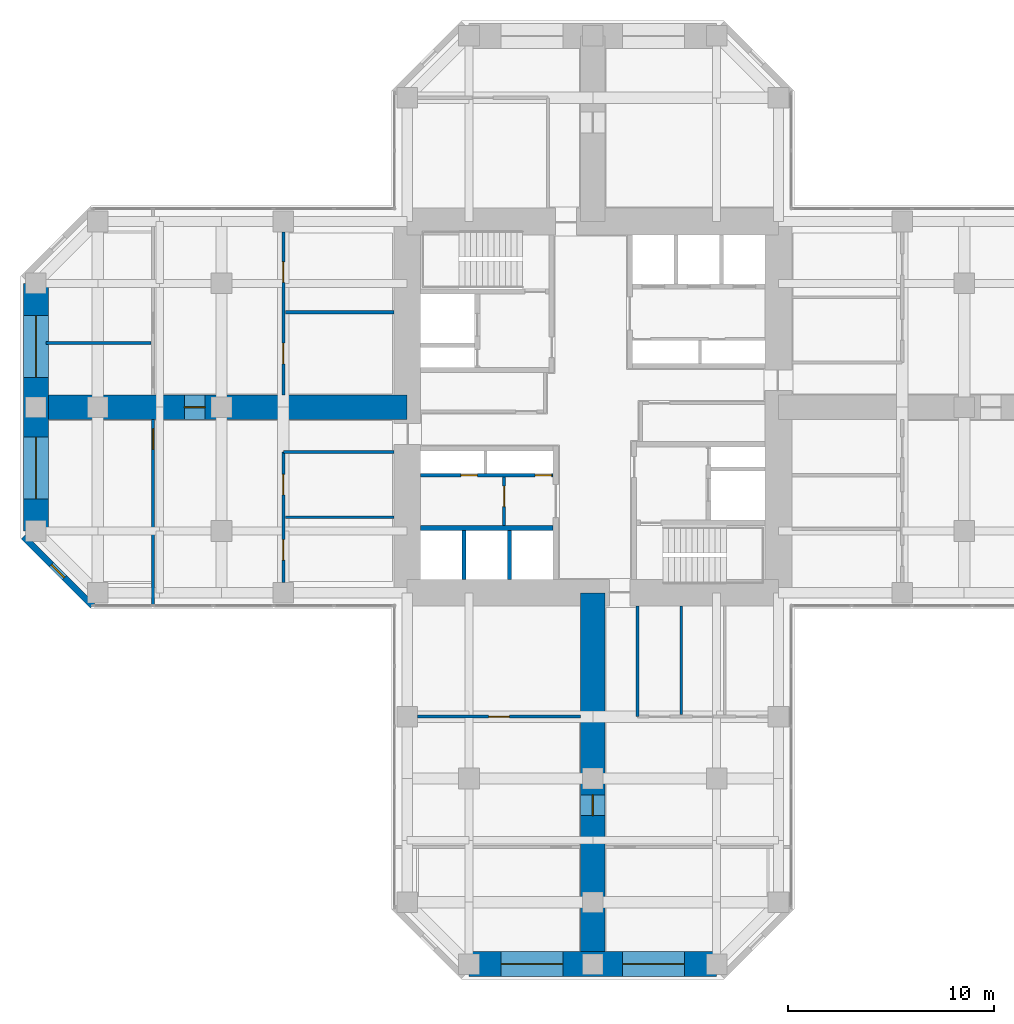
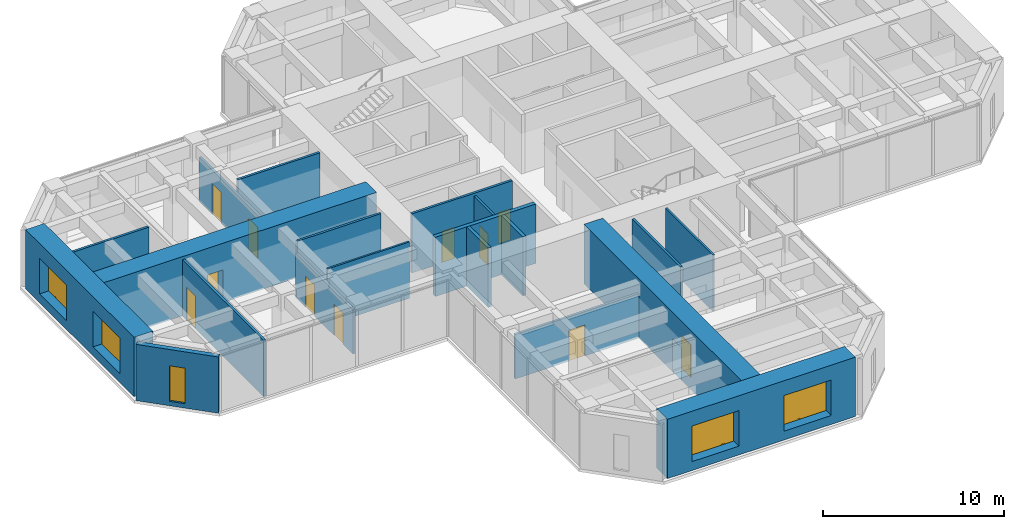
# One storey, part 8 of 13: 20 walls, 11 doors, 5 windows, 16 openings.
"""IFC4 building model written with IfcOpenShell, lengths in metres."""

from ifc_helpers import new_model, si_unit, direction, frame, frame_2d, origin, place, context, subcontext, project, spatial, rectangle, hollow_rectangle, extrude, material, layer, layer_set, constituent, constituent_set, type_object, element, fill, save


model = new_model("IFC4")

# Units and contexts
model_context = context("Model", 3, precision=1e-05, world=origin(), true_north=direction((0.0, 1.0)))
body_context = subcontext(model_context, "Body", "Model", "MODEL_VIEW")
ifc_project = project(units=[si_unit("LENGTHUNIT", "METRE"), si_unit("AREAUNIT", "SQUARE_METRE"), si_unit("VOLUMEUNIT", "CUBIC_METRE"), si_unit("PLANEANGLEUNIT", "RADIAN"), si_unit("MASSUNIT", "GRAM", prefix="KILO")], contexts=[model_context])

# Site, building, storey
site_placement = place(None, origin())
site = spatial("IfcSite", under=ifc_project, at=site_placement, CompositionType="ELEMENT")
building_placement = place(site_placement, origin())
building = spatial("IfcBuilding", under=site, at=building_placement, Name="Torre Cruceta", CompositionType="ELEMENT")
storey_placement = place(building_placement, frame((0.0, 0.0, 128.5)))
storey = spatial("IfcBuildingStorey", under=building, at=storey_placement, Name="L31", CompositionType="ELEMENT", Elevation=128.5)

# Wall
ifc_material_1 = material(Name="Concrete G60 (fck 60 MPa)", Category="concrete")
ifc_layer_1 = layer(ifc_material_1, 0.25)
ifc_layer_set_1 = layer_set([ifc_layer_1], Name="Concrete G60 (fck 60 MPa)")
wall_type_1 = type_object("IfcWallType", Name="CORE INNER WALL 250 G60", PredefinedType="SHEAR", material=ifc_layer_set_1)
wall_1_placement = place(storey_placement, frame((-1.925048828125, -5.85009765625, 0.0), z_axis=(0.0, 0.0, 1.0), x_axis=(-1.0, 0.0, 0.0)))
element("IfcWall", 1, at=wall_1_placement, inside=storey, type_object=wall_type_1, Name="CW4 L31 SW-LV", PredefinedType="SHEAR", context=body_context, shape_type="SweptSolid", body=[
    extrude(rectangle(XDim=6.425048828125, YDim=0.25, at=frame_2d((3.21240234375, 0.0))), origin(), (0.0, 0.0, 1.0), 4.0),
])

# Wall, opening, window
ifc_material_2 = material(Name="Concrete G30 (fck 30 MPa)", Category="concrete")
ifc_layer_2 = layer(ifc_material_2, 0.300048828125)
ifc_layer_set_2 = layer_set([ifc_layer_2], Name="Concrete G30 (fck 30 MPa)")
wall_type_2 = type_object("IfcWallType", Name="EXPOSED CONCRETE FACADE WALL 300", PredefinedType="SOLIDWALL", material=ifc_layer_set_2)
wall_2_placement = place(storey_placement, frame((-27.60009765625, -6.27685546875, 0.0), z_axis=(0.0, 0.0, 1.0), x_axis=(0.707106781187, -0.707106781187, 0.0)))
wall_2 = element("IfcWall", 2, at=wall_2_placement, inside=storey, type_object=wall_type_2, Name="EW1 facade wall L31 W chamfer 13", PredefinedType="SOLIDWALL", context=body_context, shape_type="SweptSolid", body=[
    extrude(rectangle(XDim=4.72802734375, YDim=0.300048828125, at=frame_2d((2.364013671875, 0.0))), origin(), (0.0, 0.0, 1.0), 3.800048828125),
])
opening_1_placement = place(wall_2_placement, frame((1.9140625, 0.0, 0.300048828125)))
opening_1 = element("IfcOpeningElement", 3, at=opening_1_placement, cuts=wall_2, Name="Opening WN5", PredefinedType="OPENING", context=body_context, shape_type="SweptSolid", body=[
    extrude(rectangle(XDim=0.89990234375, YDim=2.39990234375, at=frame_2d((0.449951171875, 1.199951171875))), frame((0.0, 0.159912109375, 0.0), z_axis=(0.0, -1.0, 0.0), x_axis=(1.0, 0.0, 0.0)), (0.0, 0.0, 1.0), 0.320068359375),
])
ifc_material_3 = material(Name="Aluminium window frame", Category="aluminium")
ifc_constituent_1 = constituent(ifc_material_3, Name="Frame")
ifc_material_4 = material(Name="Laminated insulating glass unit, low-iron clear", Category="glass")
ifc_constituent_2 = constituent(ifc_material_4, Name="Glazing")
ifc_constituent_set_1 = constituent_set(constituents=[ifc_constituent_1, ifc_constituent_2], Name="Aluminium window")
window_type_1 = type_object("IfcWindowType", Name="CHAMFER SLOT WINDOW 900X2400", PartitioningType="SINGLE_PANEL", PredefinedType="WINDOW", material=ifc_constituent_set_1)
window_1_placement = place(opening_1_placement, origin())
window_1 = element("IfcWindow", 4, at=window_1_placement, inside=storey, type_object=window_type_1, Name="WN5 L31 W 1", OverallHeight=2.39990234375, OverallWidth=0.89990234375, PartitioningType="SINGLE_PANEL", PredefinedType="WINDOW", context=body_context, shape_type="SweptSolid", body=[
    extrude(hollow_rectangle(XDim=0.89990234375, YDim=2.39990234375, WallThickness=0.06005859375, at=frame_2d((0.449951171875, 1.199951171875))), frame((0.0, 0.030029296875, 0.0), z_axis=(0.0, -1.0, 0.0), x_axis=(1.0, 0.0, 0.0)), (0.0, 0.0, 1.0), 0.06005859375),
    extrude(rectangle(XDim=0.77880859375, YDim=2.27880859375, at=frame_2d((0.449951171875, 1.199951171875))), frame((0.0, 0.030029296875, 0.0), z_axis=(0.0, -1.0, 0.0), x_axis=(1.0, 0.0, 0.0)), (0.0, 0.0, 1.0), 0.06005859375),
])
fill(opening_1, window_1)

# Walls
ifc_material_5 = material(Name="Concrete G35 (fck 35 MPa)", Category="concrete")
ifc_layer_3 = layer(ifc_material_5, 0.199951171875)
ifc_layer_set_3 = layer_set([ifc_layer_3], Name="Concrete G35 (fck 35 MPa)")
wall_type_3 = type_object("IfcWallType", Name="LIFT SHAFT WALL 200", PredefinedType="PARTITIONING", material=ifc_layer_set_3)
for number, where, z_axis, x_axis, name in (
    (5, (-4.033447265625, -5.97509765625, 0.0), (0.0, 0.0, 1.0), (0.0, -1.0, 0.0), "SW1 L31 SW-LS1"),
    (6, (-6.24169921875, -5.97509765625, 0.0), (0.0, 0.0, 1.0), (0.0, -1.0, 0.0), "SW1 L31 SW-LS2"),
):
    element("IfcWall", number, at=place(storey_placement, frame(where, z_axis=z_axis, x_axis=x_axis)), inside=storey, type_object=wall_type_3, Name=name, PredefinedType="PARTITIONING", context=body_context, shape_type="SweptSolid", body=[
        extrude(rectangle(XDim=2.375, YDim=0.199951171875, at=frame_2d((1.1875, 0.0))), origin(), (0.0, 0.0, 1.0), 4.0),
    ])

# Wall, openings, windows
ifc_material_6 = material(Name="Concrete G60 (fck 60 MPa)", Category="concrete")
ifc_layer_4 = layer(ifc_material_6, 1.199951171875)
ifc_layer_set_4 = layer_set([ifc_layer_4], Name="Concrete G60 (fck 60 MPa)")
wall_type_4 = type_object("IfcWallType", Name="NOSE WALL 1200 G60", PredefinedType="SHEAR", material=ifc_layer_set_4)
wall_3_placement = place(storey_placement, frame((-6.0, -27.0, 0.0), z_axis=(0.0, 0.0, 1.0), x_axis=(1.0, 0.0, 0.0)))
wall_3 = element("IfcWall", 7, at=wall_3_placement, inside=storey, type_object=wall_type_4, Name="NW1 nose wall L31 S", PredefinedType="SHEAR", context=body_context, shape_type="SweptSolid", body=[
    extrude(rectangle(XDim=12.0, YDim=1.199951171875, at=frame_2d((6.0, 0.0))), origin(), (0.0, 0.0, 1.0), 4.0),
])
opening_2_placement = place(wall_3_placement, frame((1.550048828125, 0.0, 0.60009765625)))
opening_2 = element("IfcOpeningElement", 8, at=opening_2_placement, cuts=wall_3, Name="Opening WN6", PredefinedType="OPENING", context=body_context, shape_type="SweptSolid", body=[
    extrude(rectangle(XDim=3.0, YDim=2.39990234375, at=frame_2d((1.5, 1.199951171875))), frame((0.0, 0.60986328125, 0.0), z_axis=(0.0, -1.0, 0.0), x_axis=(1.0, 0.0, 0.0)), (0.0, 0.0, 1.0), 1.219970703125),
])
opening_3_placement = place(wall_3_placement, frame((7.449951171875, 0.0, 0.60009765625)))
opening_3 = element("IfcOpeningElement", 9, at=opening_3_placement, cuts=wall_3, Name="Opening WN6", PredefinedType="OPENING", context=body_context, shape_type="SweptSolid", body=[
    extrude(rectangle(XDim=3.0, YDim=2.39990234375, at=frame_2d((1.5, 1.199951171875))), frame((0.0, 0.60986328125, 0.0), z_axis=(0.0, -1.0, 0.0), x_axis=(1.0, 0.0, 0.0)), (0.0, 0.0, 1.0), 1.219970703125),
])
ifc_material_7 = material(Name="Aluminium window frame", Category="aluminium")
ifc_constituent_3 = constituent(ifc_material_7, Name="Frame")
ifc_material_8 = material(Name="Laminated insulating glass unit, low-iron clear", Category="glass")
ifc_constituent_4 = constituent(ifc_material_8, Name="Glazing")
ifc_constituent_set_2 = constituent_set(constituents=[ifc_constituent_3, ifc_constituent_4], Name="Aluminium window")
window_type_2 = type_object("IfcWindowType", Name="NOSE WALL WINDOW 3000X2400", PartitioningType="SINGLE_PANEL", PredefinedType="WINDOW", material=ifc_constituent_set_2)
window_2_placement = place(opening_2_placement, origin())
window_2 = element("IfcWindow", 10, at=window_2_placement, inside=storey, type_object=window_type_2, Name="WN6 L31 S 1", OverallHeight=2.39990234375, OverallWidth=3.0, PartitioningType="SINGLE_PANEL", PredefinedType="WINDOW", context=body_context, shape_type="SweptSolid", body=[
    extrude(hollow_rectangle(XDim=3.0, YDim=2.39990234375, WallThickness=0.06005859375, at=frame_2d((1.5, 1.199951171875))), frame((0.0, 0.030029296875, 0.0), z_axis=(0.0, -1.0, 0.0), x_axis=(1.0, 0.0, 0.0)), (0.0, 0.0, 1.0), 0.06005859375),
    extrude(rectangle(XDim=2.87890625, YDim=2.27880859375, at=frame_2d((1.5, 1.199951171875))), frame((0.0, 0.030029296875, 0.0), z_axis=(0.0, -1.0, 0.0), x_axis=(1.0, 0.0, 0.0)), (0.0, 0.0, 1.0), 0.06005859375),
])
fill(opening_2, window_2)
window_3_placement = place(opening_3_placement, origin())
window_3 = element("IfcWindow", 11, at=window_3_placement, inside=storey, type_object=window_type_2, Name="WN6 L31 S 2", OverallHeight=2.39990234375, OverallWidth=3.0, PartitioningType="SINGLE_PANEL", PredefinedType="WINDOW", context=body_context, shape_type="SweptSolid", body=[
    extrude(hollow_rectangle(XDim=3.0, YDim=2.39990234375, WallThickness=0.06005859375, at=frame_2d((1.5, 1.199951171875))), frame((0.0, 0.030029296875, 0.0), z_axis=(0.0, -1.0, 0.0), x_axis=(1.0, 0.0, 0.0)), (0.0, 0.0, 1.0), 0.06005859375),
    extrude(rectangle(XDim=2.87890625, YDim=2.27880859375, at=frame_2d((1.5, 1.199951171875))), frame((0.0, 0.030029296875, 0.0), z_axis=(0.0, -1.0, 0.0), x_axis=(1.0, 0.0, 0.0)), (0.0, 0.0, 1.0), 0.06005859375),
])
fill(opening_3, window_3)

wall_4_placement = place(storey_placement, frame((-27.0, 6.0, 0.0), z_axis=(0.0, 0.0, 1.0), x_axis=(0.0, -1.0, 0.0)))
wall_4 = element("IfcWall", 12, at=wall_4_placement, inside=storey, type_object=wall_type_4, Name="NW1 nose wall L31 W", PredefinedType="SHEAR", context=body_context, shape_type="SweptSolid", body=[
    extrude(rectangle(XDim=12.0, YDim=1.199951171875, at=frame_2d((6.0, 0.0))), origin(), (0.0, 0.0, 1.0), 4.0),
])
opening_4_placement = place(wall_4_placement, frame((1.550048828125, 0.0, 0.60009765625)))
opening_4 = element("IfcOpeningElement", 13, at=opening_4_placement, cuts=wall_4, Name="Opening WN6", PredefinedType="OPENING", context=body_context, shape_type="SweptSolid", body=[
    extrude(rectangle(XDim=3.0, YDim=2.39990234375, at=frame_2d((1.5, 1.199951171875))), frame((0.0, 0.60986328125, 0.0), z_axis=(0.0, -1.0, 0.0), x_axis=(1.0, 0.0, 0.0)), (0.0, 0.0, 1.0), 1.219970703125),
])
opening_5_placement = place(wall_4_placement, frame((7.449951171875, 0.0, 0.60009765625)))
opening_5 = element("IfcOpeningElement", 14, at=opening_5_placement, cuts=wall_4, Name="Opening WN6", PredefinedType="OPENING", context=body_context, shape_type="SweptSolid", body=[
    extrude(rectangle(XDim=3.0, YDim=2.39990234375, at=frame_2d((1.5, 1.199951171875))), frame((0.0, 0.60986328125, 0.0), z_axis=(0.0, -1.0, 0.0), x_axis=(1.0, 0.0, 0.0)), (0.0, 0.0, 1.0), 1.219970703125),
])
window_4_placement = place(opening_4_placement, origin())
window_4 = element("IfcWindow", 15, at=window_4_placement, inside=storey, type_object=window_type_2, Name="WN6 L31 W 1", OverallHeight=2.39990234375, OverallWidth=3.0, PartitioningType="SINGLE_PANEL", PredefinedType="WINDOW", context=body_context, shape_type="SweptSolid", body=[
    extrude(hollow_rectangle(XDim=3.0, YDim=2.39990234375, WallThickness=0.06005859375, at=frame_2d((1.5, 1.199951171875))), frame((0.0, 0.030029296875, 0.0), z_axis=(0.0, -1.0, 0.0), x_axis=(1.0, 0.0, 0.0)), (0.0, 0.0, 1.0), 0.06005859375),
    extrude(rectangle(XDim=2.87890625, YDim=2.27880859375, at=frame_2d((1.5, 1.199951171875))), frame((0.0, 0.030029296875, 0.0), z_axis=(0.0, -1.0, 0.0), x_axis=(1.0, 0.0, 0.0)), (0.0, 0.0, 1.0), 0.06005859375),
])
fill(opening_4, window_4)
window_5_placement = place(opening_5_placement, origin())
window_5 = element("IfcWindow", 16, at=window_5_placement, inside=storey, type_object=window_type_2, Name="WN6 L31 W 2", OverallHeight=2.39990234375, OverallWidth=3.0, PartitioningType="SINGLE_PANEL", PredefinedType="WINDOW", context=body_context, shape_type="SweptSolid", body=[
    extrude(hollow_rectangle(XDim=3.0, YDim=2.39990234375, WallThickness=0.06005859375, at=frame_2d((1.5, 1.199951171875))), frame((0.0, 0.030029296875, 0.0), z_axis=(0.0, -1.0, 0.0), x_axis=(1.0, 0.0, 0.0)), (0.0, 0.0, 1.0), 0.06005859375),
    extrude(rectangle(XDim=2.87890625, YDim=2.27880859375, at=frame_2d((1.5, 1.199951171875))), frame((0.0, 0.030029296875, 0.0), z_axis=(0.0, -1.0, 0.0), x_axis=(1.0, 0.0, 0.0)), (0.0, 0.0, 1.0), 0.06005859375),
])
fill(opening_5, window_5)

# Wall, opening, door
ifc_material_9 = material(Name="Plasterboard on steel studs", Category="steel")
ifc_layer_5 = layer(ifc_material_9, 0.14990234375)
ifc_layer_set_5 = layer_set([ifc_layer_5], Name="Plasterboard on steel studs")
wall_type_5 = type_object("IfcWallType", Name="PARTITION 150", PredefinedType="PARTITIONING", material=ifc_layer_set_5)
wall_5_placement = place(storey_placement, frame((-4.300048828125, -3.375, 0.0), z_axis=(0.0, 0.0, 1.0), x_axis=(0.0, -1.0, 0.0)))
wall_5 = element("IfcWall", 17, at=wall_5_placement, inside=storey, type_object=wall_type_5, Name="PT1 L31-CORE-SW-X", PredefinedType="PARTITIONING", context=body_context, shape_type="SweptSolid", body=[
    extrude(rectangle(XDim=2.35009765625, YDim=0.14990234375, at=frame_2d((1.175048828125, 0.0))), origin(), (0.0, 0.0, 1.0), 3.800048828125),
])
opening_6_placement = place(wall_5_placement, frame((0.449951171875, 0.0, 0.0)))
opening_6 = element("IfcOpeningElement", 18, at=opening_6_placement, cuts=wall_5, Name="Opening D3", PredefinedType="OPENING", context=body_context, shape_type="SweptSolid", body=[
    extrude(rectangle(XDim=1.0, YDim=2.10009765625, at=frame_2d((0.5, 1.050048828125))), frame((0.0, 0.0849609375, 0.0), z_axis=(0.0, -1.0, 0.0), x_axis=(1.0, 0.0, 0.0)), (0.0, 0.0, 1.0), 0.169921875),
])
ifc_material_10 = material(Name="Steel DX51D", Category="steel")
ifc_constituent_5 = constituent(ifc_material_10, Name="Leaf and frame")
ifc_material_11 = material(Name="Polyester powder coating", Category="paint")
ifc_constituent_6 = constituent(ifc_material_11, Name="Finish")
ifc_constituent_set_3 = constituent_set(constituents=[ifc_constituent_5, ifc_constituent_6], Name="Steel fire door")
door_type_1 = type_object("IfcDoorType", Name="FIRE DOOR 1000X2100", OperationType="SINGLE_SWING_LEFT", PredefinedType="DOOR", material=ifc_constituent_set_3)
door_1_placement = place(opening_6_placement, origin())
door_1 = element("IfcDoor", 19, at=door_1_placement, inside=storey, type_object=door_type_1, Name="D3 L31-CORE-SW-X-D1", OperationType="SINGLE_SWING_LEFT", OverallHeight=2.10009765625, OverallWidth=1.0, PredefinedType="DOOR", context=body_context, shape_type="SweptSolid", body=[
    extrude(rectangle(XDim=1.0, YDim=2.10009765625, at=frame_2d((0.5, 1.050048828125))), frame((0.0, 0.02490234375, 0.0), z_axis=(0.0, -1.0, 0.0), x_axis=(1.0, 0.0, 0.0)), (0.0, 0.0, 1.0), 0.050048828125),
])
fill(opening_6, door_1)

# Wall
wall_6_placement = place(storey_placement, frame((2.175048828125, -9.64990234375, 0.0), z_axis=(0.0, 0.0, 1.0), x_axis=(0.0, -1.0, 0.0)))
element("IfcWall", 20, at=wall_6_placement, inside=storey, type_object=wall_type_5, Name="PT1 L31-S-BSL", PredefinedType="PARTITIONING", context=body_context, shape_type="SweptSolid", body=[
    extrude(rectangle(XDim=5.35009765625, YDim=0.14990234375, at=frame_2d((2.675048828125, 0.0))), origin(), (0.0, 0.0, 1.0), 3.800048828125),
])

# Wall, opening, door
wall_7_placement = place(storey_placement, frame((-8.5, -15.0, 0.0), z_axis=(0.0, 0.0, 1.0), x_axis=(1.0, 0.0, 0.0)))
wall_7 = element("IfcWall", 21, at=wall_7_placement, inside=storey, type_object=wall_type_5, Name="PT1 L31-S-BFR", PredefinedType="PARTITIONING", context=body_context, shape_type="SweptSolid", body=[
    extrude(rectangle(XDim=7.89990234375, YDim=0.14990234375, at=frame_2d((3.949951171875, 0.0))), origin(), (0.0, 0.0, 1.0), 3.0),
])
opening_7_placement = place(wall_7_placement, frame((3.449951171875, 0.0, 0.0)))
opening_7 = element("IfcOpeningElement", 22, at=opening_7_placement, cuts=wall_7, Name="Opening D3", PredefinedType="OPENING", context=body_context, shape_type="SweptSolid", body=[
    extrude(rectangle(XDim=1.0, YDim=2.10009765625, at=frame_2d((0.5, 1.050048828125))), frame((0.0, 0.0849609375, 0.0), z_axis=(0.0, -1.0, 0.0), x_axis=(1.0, 0.0, 0.0)), (0.0, 0.0, 1.0), 0.169921875),
])
door_2_placement = place(opening_7_placement, origin())
door_2 = element("IfcDoor", 23, at=door_2_placement, inside=storey, type_object=door_type_1, Name="D3 L31-S-BFR-D1", OperationType="SINGLE_SWING_RIGHT", OverallHeight=2.10009765625, OverallWidth=1.0, PredefinedType="DOOR", context=body_context, shape_type="SweptSolid", body=[
    extrude(rectangle(XDim=1.0, YDim=2.10009765625, at=frame_2d((0.5, 1.050048828125))), frame((0.0, 0.02490234375, 0.0), z_axis=(0.0, -1.0, 0.0), x_axis=(1.0, 0.0, 0.0)), (0.0, 0.0, 1.0), 0.050048828125),
])
fill(opening_7, door_2)

# Wall, openings, doors
wall_8_placement = place(storey_placement, frame((-15.0, -2.175048828125, 0.0), z_axis=(0.0, 0.0, 1.0), x_axis=(0.0, -1.0, 0.0)))
wall_8 = element("IfcWall", 24, at=wall_8_placement, inside=storey, type_object=wall_type_5, Name="PT1 L31-W-BFL", PredefinedType="PARTITIONING", context=body_context, shape_type="SweptSolid", body=[
    extrude(rectangle(XDim=6.324951171875, YDim=0.14990234375, at=frame_2d((3.16259765625, 0.0))), origin(), (0.0, 0.0, 1.0), 3.0),
])
opening_8_placement = place(wall_8_placement, frame((1.081298828125, 0.0, 0.0)))
opening_8 = element("IfcOpeningElement", 25, at=opening_8_placement, cuts=wall_8, Name="Opening D3", PredefinedType="OPENING", context=body_context, shape_type="SweptSolid", body=[
    extrude(rectangle(XDim=1.0, YDim=2.10009765625, at=frame_2d((0.5, 1.050048828125))), frame((0.0, 0.0849609375, 0.0), z_axis=(0.0, -1.0, 0.0), x_axis=(1.0, 0.0, 0.0)), (0.0, 0.0, 1.0), 0.169921875),
])
opening_9_placement = place(wall_8_placement, frame((4.243896484375, 0.0, 0.0)))
opening_9 = element("IfcOpeningElement", 26, at=opening_9_placement, cuts=wall_8, Name="Opening D3", PredefinedType="OPENING", context=body_context, shape_type="SweptSolid", body=[
    extrude(rectangle(XDim=1.0, YDim=2.10009765625, at=frame_2d((0.5, 1.050048828125))), frame((0.0, 0.0849609375, 0.0), z_axis=(0.0, -1.0, 0.0), x_axis=(1.0, 0.0, 0.0)), (0.0, 0.0, 1.0), 0.169921875),
])
door_3_placement = place(opening_8_placement, origin())
door_3 = element("IfcDoor", 27, at=door_3_placement, inside=storey, type_object=door_type_1, Name="D3 L31-W-BFL-D1", OperationType="SINGLE_SWING_LEFT", OverallHeight=2.10009765625, OverallWidth=1.0, PredefinedType="DOOR", context=body_context, shape_type="SweptSolid", body=[
    extrude(rectangle(XDim=1.0, YDim=2.10009765625, at=frame_2d((0.5, 1.050048828125))), frame((0.0, 0.02490234375, 0.0), z_axis=(0.0, -1.0, 0.0), x_axis=(1.0, 0.0, 0.0)), (0.0, 0.0, 1.0), 0.050048828125),
])
fill(opening_8, door_3)
door_4_placement = place(opening_9_placement, origin())
door_4 = element("IfcDoor", 28, at=door_4_placement, inside=storey, type_object=door_type_1, Name="D3 L31-W-BFL-D2", OperationType="SINGLE_SWING_LEFT", OverallHeight=2.10009765625, OverallWidth=1.0, PredefinedType="DOOR", context=body_context, shape_type="SweptSolid", body=[
    extrude(rectangle(XDim=1.0, YDim=2.10009765625, at=frame_2d((0.5, 1.050048828125))), frame((0.0, 0.02490234375, 0.0), z_axis=(0.0, -1.0, 0.0), x_axis=(1.0, 0.0, 0.0)), (0.0, 0.0, 1.0), 0.050048828125),
])
fill(opening_9, door_4)

# Wall
wall_9_placement = place(storey_placement, frame((-9.64990234375, -2.175048828125, 0.0), z_axis=(0.0, 0.0, 1.0), x_axis=(-1.0, 0.0, 0.0)))
element("IfcWall", 29, at=wall_9_placement, inside=storey, type_object=wall_type_5, Name="PT1 L31-W-BSL", PredefinedType="PARTITIONING", context=body_context, shape_type="SweptSolid", body=[
    extrude(rectangle(XDim=5.35009765625, YDim=0.14990234375, at=frame_2d((2.675048828125, 0.0))), origin(), (0.0, 0.0, 1.0), 3.800048828125),
])

# Wall, openings, doors
wall_10_placement = place(storey_placement, frame((-15.0, 8.5, 0.0), z_axis=(0.0, 0.0, 1.0), x_axis=(0.0, -1.0, 0.0)))
wall_10 = element("IfcWall", 30, at=wall_10_placement, inside=storey, type_object=wall_type_5, Name="PT1 L31-W-BFR", PredefinedType="PARTITIONING", context=body_context, shape_type="SweptSolid", body=[
    extrude(rectangle(XDim=7.89990234375, YDim=0.14990234375, at=frame_2d((3.949951171875, 0.0))), origin(), (0.0, 0.0, 1.0), 3.0),
])
opening_10_placement = place(wall_10_placement, frame((1.449951171875, 0.0, 0.0)))
opening_10 = element("IfcOpeningElement", 31, at=opening_10_placement, cuts=wall_10, Name="Opening D3", PredefinedType="OPENING", context=body_context, shape_type="SweptSolid", body=[
    extrude(rectangle(XDim=1.0, YDim=2.10009765625, at=frame_2d((0.5, 1.050048828125))), frame((0.0, 0.0849609375, 0.0), z_axis=(0.0, -1.0, 0.0), x_axis=(1.0, 0.0, 0.0)), (0.0, 0.0, 1.0), 0.169921875),
])
opening_11_placement = place(wall_10_placement, frame((5.39990234375, 0.0, 0.0)))
opening_11 = element("IfcOpeningElement", 32, at=opening_11_placement, cuts=wall_10, Name="Opening D3", PredefinedType="OPENING", context=body_context, shape_type="SweptSolid", body=[
    extrude(rectangle(XDim=1.0, YDim=2.10009765625, at=frame_2d((0.5, 1.050048828125))), frame((0.0, 0.0849609375, 0.0), z_axis=(0.0, -1.0, 0.0), x_axis=(1.0, 0.0, 0.0)), (0.0, 0.0, 1.0), 0.169921875),
])
door_5_placement = place(opening_10_placement, origin())
door_5 = element("IfcDoor", 33, at=door_5_placement, inside=storey, type_object=door_type_1, Name="D3 L31-W-BFR-D1", OperationType="SINGLE_SWING_RIGHT", OverallHeight=2.10009765625, OverallWidth=1.0, PredefinedType="DOOR", context=body_context, shape_type="SweptSolid", body=[
    extrude(rectangle(XDim=1.0, YDim=2.10009765625, at=frame_2d((0.5, 1.050048828125))), frame((0.0, 0.02490234375, 0.0), z_axis=(0.0, -1.0, 0.0), x_axis=(1.0, 0.0, 0.0)), (0.0, 0.0, 1.0), 0.050048828125),
])
fill(opening_10, door_5)
door_6_placement = place(opening_11_placement, origin())
door_6 = element("IfcDoor", 34, at=door_6_placement, inside=storey, type_object=door_type_1, Name="D3 L31-W-BFR-D2", OperationType="SINGLE_SWING_LEFT", OverallHeight=2.10009765625, OverallWidth=1.0, PredefinedType="DOOR", context=body_context, shape_type="SweptSolid", body=[
    extrude(rectangle(XDim=1.0, YDim=2.10009765625, at=frame_2d((0.5, 1.050048828125))), frame((0.0, 0.02490234375, 0.0), z_axis=(0.0, -1.0, 0.0), x_axis=(1.0, 0.0, 0.0)), (0.0, 0.0, 1.0), 0.050048828125),
])
fill(opening_11, door_6)

# Wall
wall_11_placement = place(storey_placement, frame((-9.64990234375, 4.60009765625, 0.0), z_axis=(0.0, 0.0, 1.0), x_axis=(-1.0, 0.0, 0.0)))
element("IfcWall", 35, at=wall_11_placement, inside=storey, type_object=wall_type_5, Name="PT1 L31-W-BDR1", PredefinedType="PARTITIONING", context=body_context, shape_type="SweptSolid", body=[
    extrude(rectangle(XDim=5.25, YDim=0.14990234375, at=frame_2d((2.625, 0.0))), origin(), (0.0, 0.0, 1.0), 3.800048828125),
])

# Wall, opening, door
wall_12_placement = place(storey_placement, frame((-21.320068359375, -0.60009765625, 0.0), z_axis=(0.0, 0.0, 1.0), x_axis=(0.0, -1.0, 0.0)))
wall_12 = element("IfcWall", 36, at=wall_12_placement, inside=storey, type_object=wall_type_5, Name="PT1 L31-W-TWL", PredefinedType="PARTITIONING", context=body_context, shape_type="SweptSolid", body=[
    extrude(rectangle(XDim=8.97998046875, YDim=0.14990234375, at=frame_2d((4.489990234375, 0.0))), origin(), (0.0, 0.0, 1.0), 3.800048828125),
])
opening_12_placement = place(wall_12_placement, frame((0.449951171875, 0.0, 0.0)))
opening_12 = element("IfcOpeningElement", 37, at=opening_12_placement, cuts=wall_12, Name="Opening D14", PredefinedType="OPENING", context=body_context, shape_type="SweptSolid", body=[
    extrude(rectangle(XDim=1.0, YDim=2.199951171875, at=frame_2d((0.5, 1.10009765625))), frame((0.0, 0.0849609375, 0.0), z_axis=(0.0, -1.0, 0.0), x_axis=(1.0, 0.0, 0.0)), (0.0, 0.0, 1.0), 0.169921875),
])
ifc_material_12 = material(Name="Steel DX51D", Category="steel")
ifc_constituent_7 = constituent(ifc_material_12, Name="Leaf and frame")
ifc_material_13 = material(Name="Polyester powder coating", Category="paint")
ifc_constituent_8 = constituent(ifc_material_13, Name="Finish")
ifc_material_14 = material(Name="Fire-resisting glass", Category="glass")
ifc_constituent_9 = constituent(ifc_material_14, Name="Vision panel")
ifc_constituent_set_4 = constituent_set(constituents=[ifc_constituent_7, ifc_constituent_8, ifc_constituent_9], Name="Steel fire door with vision panel")
door_type_2 = type_object("IfcDoorType", Name="FIRE DOOR VISION PANEL 1000X2200", OperationType="SINGLE_SWING_RIGHT", PredefinedType="DOOR", material=ifc_constituent_set_4)
door_7_placement = place(opening_12_placement, frame((1.0, 0.0, 0.0), z_axis=(0.0, 0.0, 1.0), x_axis=(-1.0, 0.0, 0.0)))
door_7 = element("IfcDoor", 38, at=door_7_placement, inside=storey, type_object=door_type_2, Name="D14 L31-W-TWL-D1", OperationType="SINGLE_SWING_RIGHT", OverallHeight=2.199951171875, OverallWidth=1.0, PredefinedType="DOOR", context=body_context, shape_type="SweptSolid", body=[
    extrude(rectangle(XDim=1.0, YDim=2.199951171875, at=frame_2d((0.5, 1.10009765625))), frame((0.0, 0.025146484375, 0.0), z_axis=(0.0, -1.0, 0.0), x_axis=(1.0, 0.0, 0.0)), (0.0, 0.0, 1.0), 0.050048828125),
])
fill(opening_12, door_7)

# Wall
wall_13_placement = place(storey_placement, frame((-21.419921875, 3.117919921875, 0.0), z_axis=(0.0, 0.0, 1.0), x_axis=(-1.0, 0.0, 0.0)))
element("IfcWall", 39, at=wall_13_placement, inside=storey, type_object=wall_type_5, Name="PT1 L31-W-TDR", PredefinedType="PARTITIONING", context=body_context, shape_type="SweptSolid", body=[
    extrude(rectangle(XDim=5.080078125, YDim=0.14990234375, at=frame_2d((2.5400390625, 0.0))), origin(), (0.0, 0.0, 1.0), 3.800048828125),
])

# Wall, openings, doors
ifc_material_15 = material(Name="Concrete block masonry", Category="masonry")
ifc_layer_6 = layer(ifc_material_15, 0.14990234375)
ifc_layer_set_6 = layer_set([ifc_layer_6], Name="Concrete block masonry")
wall_type_6 = type_object("IfcWallType", Name="RISER WALL 150", PredefinedType="PARTITIONING", material=ifc_layer_set_6)
wall_14_placement = place(storey_placement, frame((-1.925048828125, -3.300048828125, 0.0), z_axis=(0.0, 0.0, 1.0), x_axis=(-1.0, 0.0, 0.0)))
wall_14 = element("IfcWall", 40, at=wall_14_placement, inside=storey, type_object=wall_type_6, Name="SW7 L31 SW-RV", PredefinedType="PARTITIONING", context=body_context, shape_type="SweptSolid", body=[
    extrude(rectangle(XDim=6.425048828125, YDim=0.14990234375, at=frame_2d((3.21240234375, 0.0))), origin(), (0.0, 0.0, 1.0), 4.0),
])
opening_13_placement = place(wall_14_placement, frame((0.074951171875, 0.0, 0.0)))
opening_13 = element("IfcOpeningElement", 41, at=opening_13_placement, cuts=wall_14, Name="Opening D5", PredefinedType="OPENING", context=body_context, shape_type="SweptSolid", body=[
    extrude(rectangle(XDim=0.800048828125, YDim=2.10009765625, at=frame_2d((0.39990234375, 1.050048828125))), frame((0.0, 0.0849609375, 0.0), z_axis=(0.0, -1.0, 0.0), x_axis=(1.0, 0.0, 0.0)), (0.0, 0.0, 1.0), 0.169921875),
])
opening_14_placement = place(wall_14_placement, frame((3.675048828125, 0.0, 0.0)))
opening_14 = element("IfcOpeningElement", 42, at=opening_14_placement, cuts=wall_14, Name="Opening D5", PredefinedType="OPENING", context=body_context, shape_type="SweptSolid", body=[
    extrude(rectangle(XDim=0.800048828125, YDim=2.10009765625, at=frame_2d((0.39990234375, 1.050048828125))), frame((0.0, 0.0849609375, 0.0), z_axis=(0.0, -1.0, 0.0), x_axis=(1.0, 0.0, 0.0)), (0.0, 0.0, 1.0), 0.169921875),
])
ifc_material_16 = material(Name="Steel DX51D", Category="steel")
ifc_constituent_10 = constituent(ifc_material_16, Name="Leaf and frame")
ifc_material_17 = material(Name="Polyester powder coating", Category="paint")
ifc_constituent_11 = constituent(ifc_material_17, Name="Finish")
ifc_constituent_set_5 = constituent_set(constituents=[ifc_constituent_10, ifc_constituent_11], Name="Steel fire door")
door_type_3 = type_object("IfcDoorType", Name="RISER ACCESS DOOR 800X2100", OperationType="SINGLE_SWING_LEFT", PredefinedType="DOOR", material=ifc_constituent_set_5)
door_8_placement = place(opening_13_placement, frame((0.800048828125, 0.0, 0.0), z_axis=(0.0, 0.0, 1.0), x_axis=(-1.0, 0.0, 0.0)))
door_8 = element("IfcDoor", 43, at=door_8_placement, inside=storey, type_object=door_type_3, Name="D5 L31 SW-RISER1", OperationType="SINGLE_SWING_RIGHT", OverallHeight=2.10009765625, OverallWidth=0.800048828125, PredefinedType="DOOR", context=body_context, shape_type="SweptSolid", body=[
    extrude(rectangle(XDim=0.800048828125, YDim=2.10009765625, at=frame_2d((0.400146484375, 1.050048828125))), frame((0.0, 0.025146484375, 0.0), z_axis=(0.0, -1.0, 0.0), x_axis=(1.0, 0.0, 0.0)), (0.0, 0.0, 1.0), 0.050048828125),
])
fill(opening_13, door_8)
door_9_placement = place(opening_14_placement, frame((0.800048828125, 0.0, 0.0), z_axis=(0.0, 0.0, 1.0), x_axis=(-1.0, 0.0, 0.0)))
door_9 = element("IfcDoor", 44, at=door_9_placement, inside=storey, type_object=door_type_3, Name="D5 L31 SW-RISER2", OperationType="SINGLE_SWING_RIGHT", OverallHeight=2.10009765625, OverallWidth=0.800048828125, PredefinedType="DOOR", context=body_context, shape_type="SweptSolid", body=[
    extrude(rectangle(XDim=0.800048828125, YDim=2.10009765625, at=frame_2d((0.400146484375, 1.050048828125))), frame((0.0, 0.025146484375, 0.0), z_axis=(0.0, -1.0, 0.0), x_axis=(1.0, 0.0, 0.0)), (0.0, 0.0, 1.0), 0.050048828125),
])
fill(opening_14, door_9)

# Wall, opening, door
ifc_material_18 = material(Name="Concrete G60 (fck 60 MPa)", Category="concrete")
ifc_layer_7 = layer(ifc_material_18, 1.199951171875)
ifc_layer_set_7 = layer_set([ifc_layer_7], Name="Concrete G60 (fck 60 MPa)")
wall_type_7 = type_object("IfcWallType", Name="SPINE WALL 1200 G60", PredefinedType="SHEAR", material=ifc_layer_set_7)
wall_15_placement = place(storey_placement, frame((0.0, -9.0, 0.0), z_axis=(0.0, 0.0, 1.0), x_axis=(0.0, -1.0, 0.0)))
wall_15 = element("IfcWall", 45, at=wall_15_placement, inside=storey, type_object=wall_type_7, Name="SW3 spine wall L31 S", PredefinedType="SHEAR", context=body_context, shape_type="SweptSolid", body=[
    extrude(rectangle(XDim=18.0, YDim=1.199951171875, at=frame_2d((9.0, 0.0))), origin(), (0.0, 0.0, 1.0), 4.0),
])
opening_15_placement = place(wall_15_placement, frame((9.800048828125, 0.0, 0.0)))
opening_15 = element("IfcOpeningElement", 46, at=opening_15_placement, cuts=wall_15, Name="Opening D14", PredefinedType="OPENING", context=body_context, shape_type="SweptSolid", body=[
    extrude(rectangle(XDim=1.0, YDim=2.199951171875, at=frame_2d((0.5, 1.10009765625))), frame((0.0, 0.60986328125, 0.0), z_axis=(0.0, -1.0, 0.0), x_axis=(1.0, 0.0, 0.0)), (0.0, 0.0, 1.0), 1.219970703125),
])
door_10_placement = place(opening_15_placement, frame((1.0, 0.0, 0.0), z_axis=(0.0, 0.0, 1.0), x_axis=(-1.0, 0.0, 0.0)))
door_10 = element("IfcDoor", 47, at=door_10_placement, inside=storey, type_object=door_type_2, Name="D14 L31-S-SP1", OperationType="SINGLE_SWING_LEFT", OverallHeight=2.199951171875, OverallWidth=1.0, PredefinedType="DOOR", context=body_context, shape_type="SweptSolid", body=[
    extrude(rectangle(XDim=1.0, YDim=2.199951171875, at=frame_2d((0.5, 1.10009765625))), frame((0.0, 0.025146484375, 0.0), z_axis=(0.0, -1.0, 0.0), x_axis=(1.0, 0.0, 0.0)), (0.0, 0.0, 1.0), 0.050048828125),
])
fill(opening_15, door_10)

wall_16_placement = place(storey_placement, frame((-9.0, 0.0, 0.0), z_axis=(0.0, 0.0, 1.0), x_axis=(-1.0, 0.0, 0.0)))
wall_16 = element("IfcWall", 48, at=wall_16_placement, inside=storey, type_object=wall_type_7, Name="SW3 spine wall L31 W", PredefinedType="SHEAR", context=body_context, shape_type="SweptSolid", body=[
    extrude(rectangle(XDim=18.0, YDim=1.199951171875, at=frame_2d((9.0, 0.0))), origin(), (0.0, 0.0, 1.0), 4.0),
])
opening_16_placement = place(wall_16_placement, frame((9.800048828125, 0.0, 0.0)))
opening_16 = element("IfcOpeningElement", 49, at=opening_16_placement, cuts=wall_16, Name="Opening D14", PredefinedType="OPENING", context=body_context, shape_type="SweptSolid", body=[
    extrude(rectangle(XDim=1.0, YDim=2.199951171875, at=frame_2d((0.5, 1.10009765625))), frame((0.0, 0.60986328125, 0.0), z_axis=(0.0, -1.0, 0.0), x_axis=(1.0, 0.0, 0.0)), (0.0, 0.0, 1.0), 1.219970703125),
])
door_11_placement = place(opening_16_placement, frame((1.0, 0.0, 0.0), z_axis=(0.0, 0.0, 1.0), x_axis=(-1.0, 0.0, 0.0)))
door_11 = element("IfcDoor", 50, at=door_11_placement, inside=storey, type_object=door_type_2, Name="D14 L31-W-SP1", OperationType="SINGLE_SWING_LEFT", OverallHeight=2.199951171875, OverallWidth=1.0, PredefinedType="DOOR", context=body_context, shape_type="SweptSolid", body=[
    extrude(rectangle(XDim=1.0, YDim=2.199951171875, at=frame_2d((0.5, 1.10009765625))), frame((0.0, 0.025146484375, 0.0), z_axis=(0.0, -1.0, 0.0), x_axis=(1.0, 0.0, 0.0)), (0.0, 0.0, 1.0), 0.050048828125),
])
fill(opening_16, door_11)

# Walls
ifc_material_19 = material(Name="Plasterboard on steel studs", Category="steel")
ifc_layer_8 = layer(ifc_material_19, 0.1201171875)
ifc_layer_set_8 = layer_set([ifc_layer_8], Name="Plasterboard on steel studs")
wall_type_8 = type_object("IfcWallType", Name="WC PARTITION 120", PredefinedType="PLUMBINGWALL", material=ifc_layer_set_8)
for number, where, z_axis, x_axis, name in (
    (51, (4.283447265625, -9.64990234375, 0.0), (0.0, 0.0, 1.0), (0.0, -1.0, 0.0), "PT5 L31-S-BDL1"),
    (52, (-9.64990234375, -5.33740234375, 0.0), (0.0, 0.0, 1.0), (-1.0, 0.0, 0.0), "PT5 L31-W-BDL1"),
):
    element("IfcWall", number, at=place(storey_placement, frame(where, z_axis=z_axis, x_axis=x_axis)), inside=storey, type_object=wall_type_8, Name=name, PredefinedType="PLUMBINGWALL", context=body_context, shape_type="SweptSolid", body=[
        extrude(rectangle(XDim=5.25, YDim=0.1201171875, at=frame_2d((2.625, 0.0))), origin(), (0.0, 0.0, 1.0), 3.800048828125),
    ])

save(model, "model.ifc")
